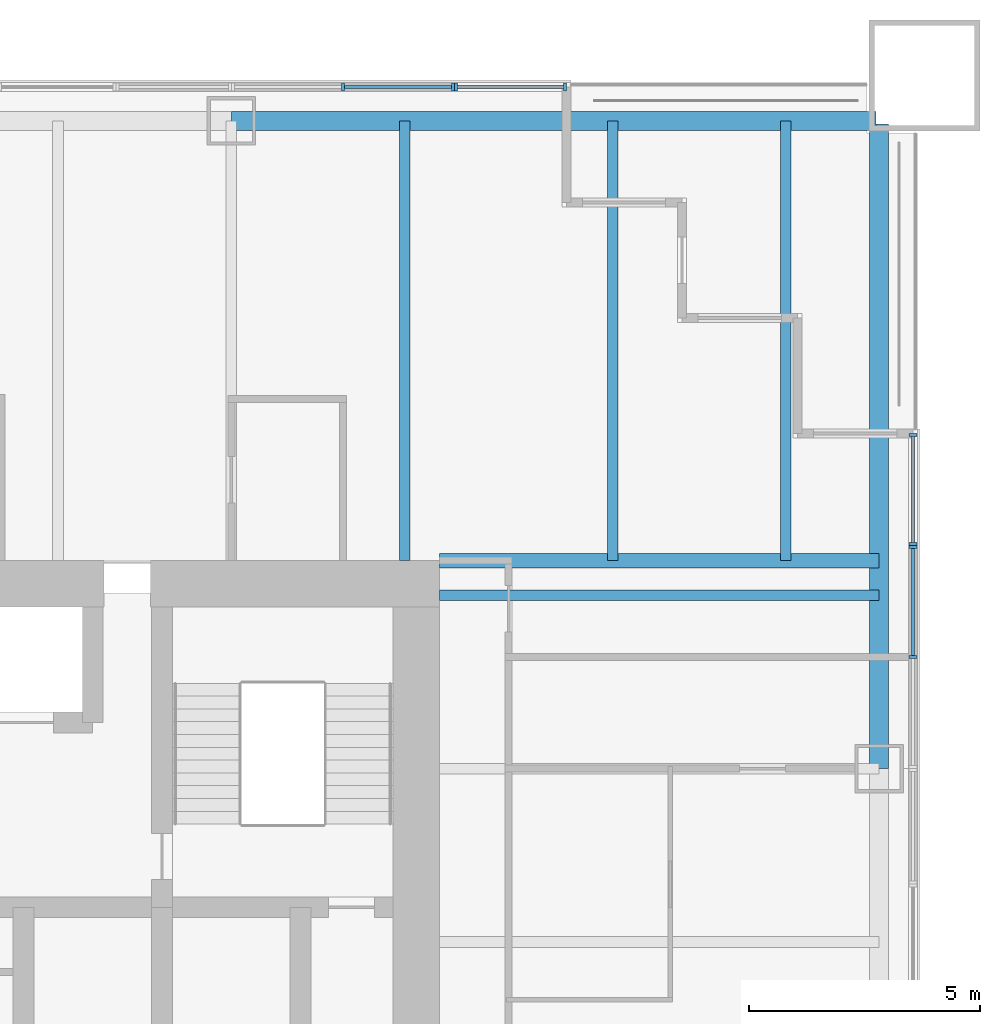
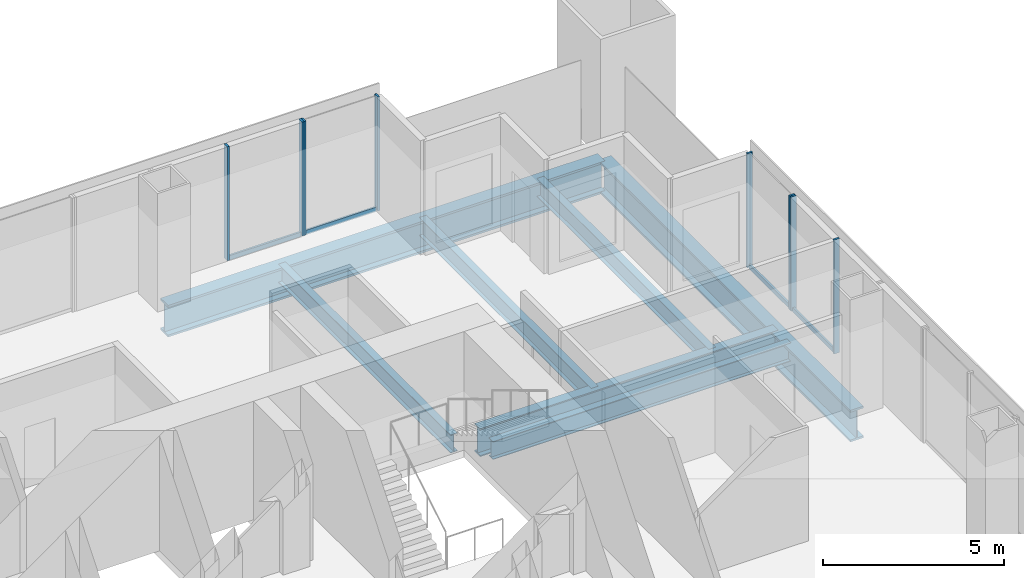
# One storey, part 6 of 13: 12 members, 7 beams, 4 elements without a shape of their own.
"""IFC4 building model written with IfcOpenShell, lengths in metres."""

from ifc_helpers import new_model, si_unit, direction, frame, origin, origin_2d, place, context, subcontext, project, spatial, rectangle, i_section, extrude, material, material_profile, profile_set, type_object, element, aggregate, save


model = new_model("IFC4")

# Units and contexts
model_context = context("Model", 3, precision=1e-05, world=origin(), true_north=direction((0.0, 1.0)))
body_context = subcontext(model_context, "Body", "Model", "MODEL_VIEW")
ifc_project = project(units=[si_unit("LENGTHUNIT", "METRE"), si_unit("AREAUNIT", "SQUARE_METRE"), si_unit("VOLUMEUNIT", "CUBIC_METRE"), si_unit("PLANEANGLEUNIT", "RADIAN"), si_unit("MASSUNIT", "GRAM", prefix="KILO")], contexts=[model_context])

# Site, building, storey
site_placement = place(None, origin())
site = spatial("IfcSite", under=ifc_project, at=site_placement, CompositionType="ELEMENT")
building_placement = place(site_placement, origin())
building = spatial("IfcBuilding", under=site, at=building_placement, Name="Tarangal Relay Tower", CompositionType="ELEMENT")
storey_placement = place(building_placement, frame((0.0, 0.0, 201.89990234375)))
storey = spatial("IfcBuildingStorey", under=building, at=storey_placement, Name="L42", CompositionType="ELEMENT", Elevation=201.89990234375)

# Beams
ifc_material_1 = material(Name="Steel ASTM A992", Category="steel")
ifc_material_profile_1 = material_profile(ifc_material_1, i_section(OverallWidth=0.227783203125, OverallDepth=0.60205078125, WebThickness=0.010498046875, FlangeThickness=0.014892578125, at=origin_2d()), Name="W24X68")
ifc_profile_set_1 = profile_set([ifc_material_profile_1], Name="Steel ASTM A992")
beam_type_1 = type_object("IfcBeamType", Name="Corner beam W24X68", PredefinedType="JOIST", material=ifc_profile_set_1)
for number, where, z_axis, x_axis, name in (
    (1, (15.75, 12.0, -0.450927734375), (0.0, 1.0, 0.0), (-1.0, 0.0, 0.0), "Corner beam CB11 N L42"),
    (2, (19.5, 12.0, -0.450927734375), (0.0, 1.0, 0.0), (-1.0, 0.0, 0.0), "Corner beam CB11 N L42"),
):
    element("IfcBeam", number, at=place(storey_placement, frame(where, z_axis=z_axis, x_axis=x_axis)), inside=storey, type_object=beam_type_1, Name=name, PredefinedType="JOIST", context=body_context, shape_type="SweptSolid", body=[
        extrude(i_section(OverallWidth=0.227783203125, OverallDepth=0.60205078125, WebThickness=0.010498046875, FlangeThickness=0.014892578125, at=origin_2d()), origin(), (0.0, 0.0, 1.0), 9.514892578125),
    ])
ifc_material_profile_2 = material_profile(ifc_material_1, i_section(OverallWidth=0.307373046875, OverallDepth=0.9423828125, WebThickness=0.022216796875, FlangeThickness=0.039794921875, at=origin_2d()), Name="W36X232")
ifc_profile_set_2 = profile_set([ifc_material_profile_2], Name="Steel ASTM A992")
beam_type_2 = type_object("IfcBeamType", Name="Corner girder W36X232", PredefinedType="BEAM", material=ifc_profile_set_2)
beam_placement = place(storey_placement, frame((12.0, 12.0, -0.62109375), z_axis=(1.0, 0.0, 0.0), x_axis=(0.0, 1.0, 0.0)))
element("IfcBeam", 3, at=beam_placement, inside=storey, type_object=beam_type_2, Name="Corner girder CG4 N L42", PredefinedType="BEAM", context=body_context, shape_type="SweptSolid", body=[
    extrude(i_section(OverallWidth=0.307373046875, OverallDepth=0.9423828125, WebThickness=0.022216796875, FlangeThickness=0.039794921875, at=origin_2d()), origin(), (0.0, 0.0, 1.0), 9.514892578125),
])
ifc_material_profile_3 = material_profile(ifc_material_1, i_section(OverallWidth=0.41650390625, OverallDepth=1.0693359375, WebThickness=0.0390625, FlangeThickness=0.070068359375, at=origin_2d()), Name="W40X503")
ifc_profile_set_3 = profile_set([ifc_material_profile_3], Name="Steel ASTM A992")
beam_type_3 = type_object("IfcBeamType", Name="Edge girder W40X503", PredefinedType="SPANDREL", material=ifc_profile_set_3)
for number, where, z_axis, x_axis, name in (
    (4, (7.5, 21.514892578125, -0.6845703125), (1.0, 0.0, 0.0), (0.0, 1.0, 0.0), "Edge girder EG8 N L42"),
    (5, (21.514892578125, 21.449951171875, -0.6845703125), (0.0, -1.0, 0.0), (1.0, 0.0, 0.0), "Edge girder EG8 E L42"),
):
    element("IfcBeam", number, at=place(storey_placement, frame(where, z_axis=z_axis, x_axis=x_axis)), inside=storey, type_object=beam_type_3, Name=name, PredefinedType="SPANDREL", context=body_context, shape_type="SweptSolid", body=[
        extrude(i_section(OverallWidth=0.41650390625, OverallDepth=1.0693359375, WebThickness=0.0390625, FlangeThickness=0.070068359375, at=origin_2d()), origin(), (0.0, 0.0, 1.0), 13.949951171875),
    ])
ifc_material_profile_4 = material_profile(ifc_material_1, i_section(OverallWidth=0.22900390625, OverallDepth=0.612060546875, WebThickness=0.011962890625, FlangeThickness=0.01953125, at=origin_2d()), Name="W24X84")
ifc_profile_set_4 = profile_set([ifc_material_profile_4], Name="Steel ASTM A992")
beam_type_4 = type_object("IfcBeamType", Name="Floor beam W24X84", PredefinedType="BEAM", material=ifc_profile_set_4)
for number, where, z_axis, x_axis, name in (
    (6, (11.25, 12.0, -0.455810546875), (0.0, 1.0, 0.0), (-1.0, 0.0, 0.0), "Floor beam RB12 N L42"),
    (7, (12.0, 11.25, -0.455810546875), (1.0, 0.0, 0.0), (0.0, 1.0, 0.0), "Floor beam RB12 E L42"),
):
    element("IfcBeam", number, at=place(storey_placement, frame(where, z_axis=z_axis, x_axis=x_axis)), inside=storey, type_object=beam_type_4, Name=name, PredefinedType="BEAM", context=body_context, shape_type="SweptSolid", body=[
        extrude(i_section(OverallWidth=0.22900390625, OverallDepth=0.612060546875, WebThickness=0.011962890625, FlangeThickness=0.01953125, at=origin_2d()), origin(), (0.0, 0.0, 1.0), 9.514892578125),
    ])

# Curtain wall, members
ifc_material_2 = material(Name="Unitised curtain wall, dark glass and black aluminium", Category="aluminium")
curtain_wall_type_1 = type_object("IfcCurtainWallType", Name="Curtain wall CW-A", PredefinedType="USERDEFINED", material=ifc_material_2)
curtain_wall_1_placement = place(storey_placement, origin())
curtain_wall_1 = element("IfcCurtainWall", 8, at=curtain_wall_1_placement, inside=storey, type_object=curtain_wall_type_1, Name="Curtain wall CW-A N facade L42", ObjectType="UNITISED CURTAIN WALL", PredefinedType="USERDEFINED")
ifc_material_3 = material(Name="Black anodised aluminium mullion", Category="aluminium")
ifc_material_profile_5 = material_profile(ifc_material_3, rectangle(XDim=0.175048828125, YDim=0.06494140625, at=origin_2d()), Name="CW-AM 65X175")
ifc_profile_set_5 = profile_set([ifc_material_profile_5], Name="Black anodised aluminium mullion")
member_type_1 = type_object("IfcMemberType", Name="Mullion CW-A 65 x 175", PredefinedType="MULLION", material=ifc_profile_set_5)
member_1_placement = place(storey_placement, frame((12.36572265625, 22.25, 0.0), z_axis=(0.0, 0.0, 1.0), x_axis=(0.0, 1.0, 0.0)))
member_1 = element("IfcMember", 9, at=member_1_placement, type_object=member_type_1, Name="CW-A mullion 1", PredefinedType="MULLION", context=body_context, shape_type="SweptSolid", body=[
    extrude(rectangle(XDim=0.175048828125, YDim=0.06494140625, at=origin_2d()), origin(), (0.0, 0.0, 1.0), 3.85009765625),
])
member_2_placement = place(storey_placement, frame((14.717529296875, 22.25, 0.0), z_axis=(0.0, 0.0, 1.0), x_axis=(0.0, 1.0, 0.0)))
member_2 = element("IfcMember", 10, at=member_2_placement, type_object=member_type_1, Name="CW-A mullion 2", PredefinedType="MULLION", context=body_context, shape_type="SweptSolid", body=[
    extrude(rectangle(XDim=0.175048828125, YDim=0.06494140625, at=origin_2d()), origin(), (0.0, 0.0, 1.0), 3.85009765625),
])

curtain_wall_2_placement = place(storey_placement, origin())
curtain_wall_2 = element("IfcCurtainWall", 11, at=curtain_wall_2_placement, inside=storey, type_object=curtain_wall_type_1, Name="Curtain wall CW-A E facade L42", ObjectType="UNITISED CURTAIN WALL", PredefinedType="USERDEFINED")
member_3_placement = place(storey_placement, frame((22.25, 14.717529296875, 0.0), z_axis=(0.0, 0.0, 1.0), x_axis=(1.0, 0.0, 0.0)))
member_3 = element("IfcMember", 12, at=member_3_placement, type_object=member_type_1, Name="CW-A mullion 1", PredefinedType="MULLION", context=body_context, shape_type="SweptSolid", body=[
    extrude(rectangle(XDim=0.175048828125, YDim=0.06494140625, at=origin_2d()), origin(), (0.0, 0.0, 1.0), 3.85009765625),
])
member_4_placement = place(storey_placement, frame((22.25, 12.36572265625, 0.0), z_axis=(0.0, 0.0, 1.0), x_axis=(1.0, 0.0, 0.0)))
member_4 = element("IfcMember", 13, at=member_4_placement, type_object=member_type_1, Name="CW-A mullion 2", PredefinedType="MULLION", context=body_context, shape_type="SweptSolid", body=[
    extrude(rectangle(XDim=0.175048828125, YDim=0.06494140625, at=origin_2d()), origin(), (0.0, 0.0, 1.0), 3.85009765625),
])

ifc_material_4 = material(Name="Unitised curtain wall frame, black aluminium, with metal clad infill walls", Category="aluminium")
curtain_wall_type_2 = type_object("IfcCurtainWallType", Name="Curtain wall CW-AO", PredefinedType="USERDEFINED", material=ifc_material_4)
curtain_wall_3_placement = place(storey_placement, origin())
curtain_wall_3 = element("IfcCurtainWall", 14, at=curtain_wall_3_placement, inside=storey, type_object=curtain_wall_type_2, Name="Curtain wall CW-AO N facade L42", ObjectType="UNITISED CURTAIN WALL", PredefinedType="USERDEFINED")
ifc_material_profile_6 = material_profile(ifc_material_3, rectangle(XDim=0.175048828125, YDim=0.06494140625, at=origin_2d()), Name="CW-AOM 65X175")
ifc_profile_set_6 = profile_set([ifc_material_profile_6], Name="Black anodised aluminium mullion")
member_type_2 = type_object("IfcMemberType", Name="Mullion CW-AO 65 x 175", PredefinedType="MULLION", material=ifc_profile_set_6)
member_5_placement = place(storey_placement, frame((9.916748046875, 22.25, 0.0), z_axis=(0.0, 0.0, 1.0), x_axis=(0.0, 1.0, 0.0)))
member_5 = element("IfcMember", 15, at=member_5_placement, type_object=member_type_2, Name="CW-AO mullion 2", PredefinedType="MULLION", context=body_context, shape_type="SweptSolid", body=[
    extrude(rectangle(XDim=0.175048828125, YDim=0.06494140625, at=origin_2d()), origin(), (0.0, 0.0, 1.0), 3.85009765625),
])
member_6_placement = place(storey_placement, frame((12.30078125, 22.25, 0.0), z_axis=(0.0, 0.0, 1.0), x_axis=(0.0, 1.0, 0.0)))
member_6 = element("IfcMember", 16, at=member_6_placement, type_object=member_type_2, Name="CW-AO mullion 3", PredefinedType="MULLION", context=body_context, shape_type="SweptSolid", body=[
    extrude(rectangle(XDim=0.175048828125, YDim=0.06494140625, at=origin_2d()), origin(), (0.0, 0.0, 1.0), 3.85009765625),
])

curtain_wall_4_placement = place(storey_placement, origin())
curtain_wall_4 = element("IfcCurtainWall", 17, at=curtain_wall_4_placement, inside=storey, type_object=curtain_wall_type_2, Name="Curtain wall CW-AO E facade L42", ObjectType="UNITISED CURTAIN WALL", PredefinedType="USERDEFINED")
member_7_placement = place(storey_placement, frame((22.25, 12.30078125, 0.0), z_axis=(0.0, 0.0, 1.0), x_axis=(1.0, 0.0, 0.0)))
member_7 = element("IfcMember", 18, at=member_7_placement, type_object=member_type_2, Name="CW-AO mullion 1", PredefinedType="MULLION", context=body_context, shape_type="SweptSolid", body=[
    extrude(rectangle(XDim=0.175048828125, YDim=0.06494140625, at=origin_2d()), origin(), (0.0, 0.0, 1.0), 3.85009765625),
])
member_8_placement = place(storey_placement, frame((22.25, 9.916748046875, 0.0), z_axis=(0.0, 0.0, 1.0), x_axis=(1.0, 0.0, 0.0)))
member_8 = element("IfcMember", 19, at=member_8_placement, type_object=member_type_2, Name="CW-AO mullion 2", PredefinedType="MULLION", context=body_context, shape_type="SweptSolid", body=[
    extrude(rectangle(XDim=0.175048828125, YDim=0.06494140625, at=origin_2d()), origin(), (0.0, 0.0, 1.0), 3.85009765625),
])

# Member
ifc_material_5 = material(Name="Black anodised aluminium transom", Category="aluminium")
ifc_material_profile_7 = material_profile(ifc_material_5, rectangle(XDim=0.06494140625, YDim=0.14990234375, at=origin_2d()), Name="CW-AT 65X150")
ifc_profile_set_7 = profile_set([ifc_material_profile_7], Name="Black anodised aluminium transom")
member_type_3 = type_object("IfcMemberType", Name="Transom CW-A 65 x 150", PredefinedType="USERDEFINED", material=ifc_profile_set_7)
member_9_placement = place(storey_placement, frame((12.398193359375, 22.25, 0.03271484375), z_axis=(1.0, 0.0, 0.0), x_axis=(0.0, 1.0, 0.0)))
member_9 = element("IfcMember", 20, at=member_9_placement, type_object=member_type_3, Name="CW-A transom 1.1", ObjectType="TRANSOM", PredefinedType="USERDEFINED", context=body_context, shape_type="SweptSolid", body=[
    extrude(rectangle(XDim=0.06494140625, YDim=0.14990234375, at=origin_2d()), origin(), (0.0, 0.0, 1.0), 2.286865234375),
])

aggregate(curtain_wall_1, [member_1, member_2, member_9])

member_10_placement = place(storey_placement, frame((22.25, 14.68505859375, 0.03271484375), z_axis=(0.0, -1.0, 0.0), x_axis=(1.0, 0.0, 0.0)))
member_10 = element("IfcMember", 21, at=member_10_placement, type_object=member_type_3, Name="CW-A transom 1.1", ObjectType="TRANSOM", PredefinedType="USERDEFINED", context=body_context, shape_type="SweptSolid", body=[
    extrude(rectangle(XDim=0.06494140625, YDim=0.14990234375, at=origin_2d()), origin(), (0.0, 0.0, 1.0), 2.286865234375),
])

aggregate(curtain_wall_2, [member_3, member_4, member_10])

ifc_material_profile_8 = material_profile(ifc_material_5, rectangle(XDim=0.06494140625, YDim=0.14990234375, at=origin_2d()), Name="CW-AOT 65X150")
ifc_profile_set_8 = profile_set([ifc_material_profile_8], Name="Black anodised aluminium transom")
member_type_4 = type_object("IfcMemberType", Name="Transom CW-AO 65 x 150", PredefinedType="USERDEFINED", material=ifc_profile_set_8)
member_11_placement = place(storey_placement, frame((9.94921875, 22.25, 0.03271484375), z_axis=(1.0, 0.0, 0.0), x_axis=(0.0, 1.0, 0.0)))
member_11 = element("IfcMember", 22, at=member_11_placement, type_object=member_type_4, Name="CW-AO transom 2.1", ObjectType="TRANSOM", PredefinedType="USERDEFINED", context=body_context, shape_type="SweptSolid", body=[
    extrude(rectangle(XDim=0.06494140625, YDim=0.14990234375, at=origin_2d()), origin(), (0.0, 0.0, 1.0), 2.319091796875),
])

aggregate(curtain_wall_3, [member_5, member_6, member_11])

member_12_placement = place(storey_placement, frame((22.25, 12.268310546875, 0.03271484375), z_axis=(0.0, -1.0, 0.0), x_axis=(1.0, 0.0, 0.0)))
member_12 = element("IfcMember", 23, at=member_12_placement, type_object=member_type_4, Name="CW-AO transom 1.1", ObjectType="TRANSOM", PredefinedType="USERDEFINED", context=body_context, shape_type="SweptSolid", body=[
    extrude(rectangle(XDim=0.06494140625, YDim=0.14990234375, at=origin_2d()), origin(), (0.0, 0.0, 1.0), 2.319091796875),
])

aggregate(curtain_wall_4, [member_7, member_8, member_12])

save(model, "model.ifc")
